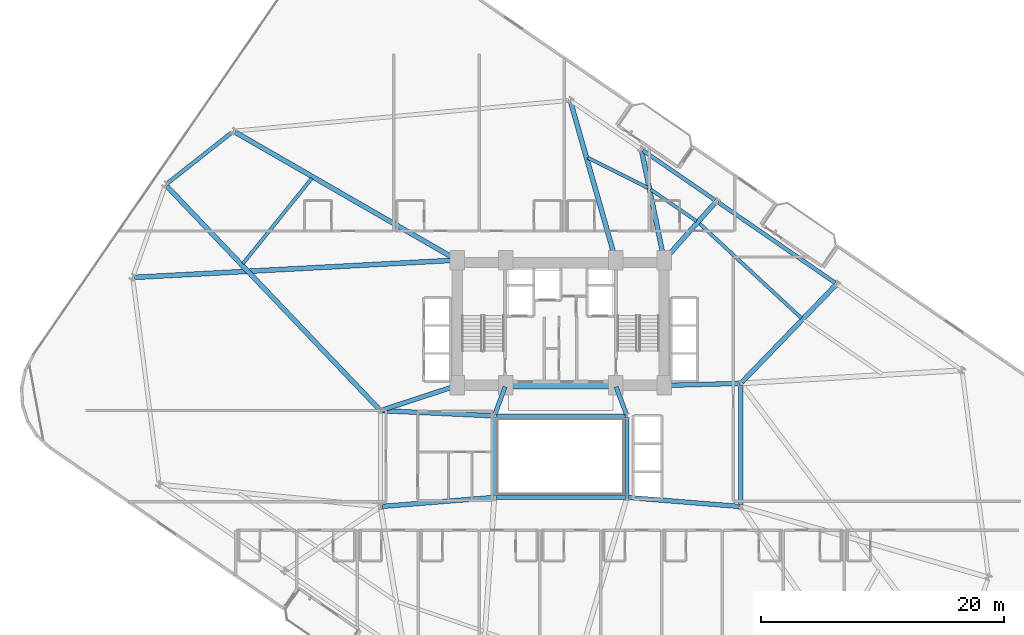
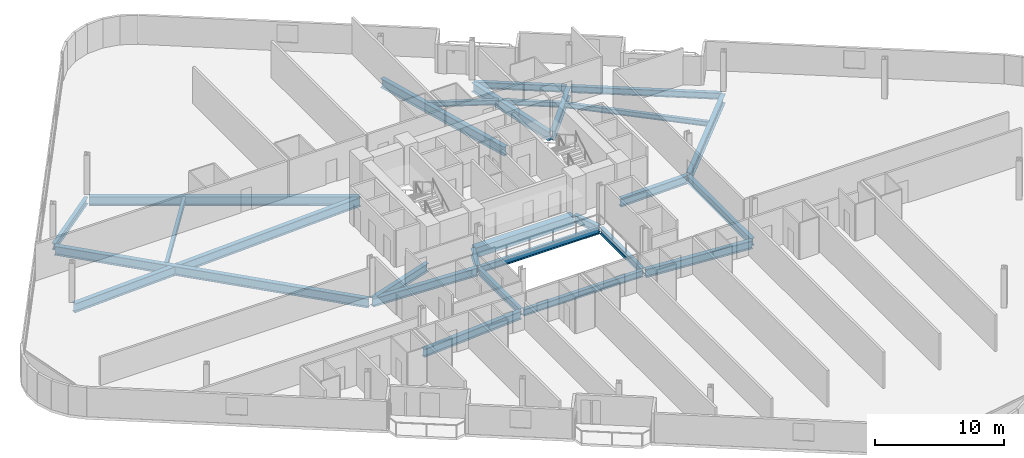
# One storey, part 7 of 27: 27 beams.
"""IFC4 building model written with IfcOpenShell, lengths in metres."""

from ifc_helpers import new_model, si_unit, direction, frame, origin, origin_2d, place, context, subcontext, project, spatial, rectangle, i_section, extrude, material, material_profile, profile_set, type_object, element, save


model = new_model("IFC4")

# Units and contexts
model_context = context("Model", 3, precision=1e-05, world=origin(), true_north=direction((0.0, 1.0)))
body_context = subcontext(model_context, "Body", "Model", "MODEL_VIEW")
ifc_project = project(units=[si_unit("LENGTHUNIT", "METRE"), si_unit("AREAUNIT", "SQUARE_METRE"), si_unit("VOLUMEUNIT", "CUBIC_METRE"), si_unit("PLANEANGLEUNIT", "RADIAN"), si_unit("MASSUNIT", "GRAM", prefix="KILO")], contexts=[model_context])

# Site, building, storey
site_placement = place(None, origin())
site = spatial("IfcSite", under=ifc_project, at=site_placement, CompositionType="ELEMENT")
building_placement = place(site_placement, origin())
building = spatial("IfcBuilding", under=site, at=building_placement, Name="Varnelok Gate Tower", CompositionType="ELEMENT")
storey_placement = place(building_placement, frame((0.0, 0.0, 30.699951171875)))
storey = spatial("IfcBuildingStorey", under=building, at=storey_placement, Name="L06", CompositionType="ELEMENT", Elevation=30.699951171875)

# Beams
ifc_material_1 = material(Name="Structural Steel ASTM A992 Grade 50", Category="steel")
ifc_material_profile_1 = material_profile(ifc_material_1, i_section(OverallWidth=0.280029296875, OverallDepth=0.462890625, WebThickness=0.0107421875, FlangeThickness=0.017333984375, FilletRadius=0.014892578125, at=origin_2d()), Name="W18X76")
ifc_profile_set_1 = profile_set([ifc_material_profile_1], Name="Structural Steel ASTM A992 Grade 50")
beam_type_1 = type_object("IfcBeamType", Name="BM-JST-W18X76", PredefinedType="JOIST", material=ifc_profile_set_1)
beam_1_placement = place(storey_placement, frame((58.9873046875, 34.28369140625, -0.4814453125), z_axis=(-0.733173365893, 0.680041774853, 0.0), x_axis=(-0.680041774853, -0.733173365893, 0.0)))
element("IfcBeam", 1, at=beam_1_placement, inside=storey, type_object=beam_type_1, Name="L06 Sector Floor Joist 7", PredefinedType="JOIST", context=body_context, shape_type="SweptSolid", body=[
    extrude(i_section(OverallWidth=0.280029296875, OverallDepth=0.462890625, WebThickness=0.0107421875, FlangeThickness=0.017333984375, FilletRadius=0.014892578125, at=origin_2d()), origin(), (0.0, 0.0, 1.0), 11.464599609375),
])
beam_2_placement = place(storey_placement, frame((50.364013671875, 42.254638671875, -0.4814453125), z_axis=(-0.823532069356, 0.567269716045, 0.0), x_axis=(-0.567269716045, -0.823532069356, 0.0)))
element("IfcBeam", 2, at=beam_2_placement, inside=storey, type_object=beam_type_1, Name="L06 Sector Floor Joist 8", PredefinedType="JOIST", context=body_context, shape_type="SweptSolid", body=[
    extrude(i_section(OverallWidth=0.280029296875, OverallDepth=0.462890625, WebThickness=0.0107421875, FlangeThickness=0.017333984375, FilletRadius=0.014892578125, at=origin_2d()), origin(), (0.0, 0.0, 1.0), 4.5576171875),
])
beam_3_placement = place(storey_placement, frame((46.3701171875, 44.982177734375, -0.4814453125), z_axis=(-0.894028684309, 0.448009722698, 0.0), x_axis=(-0.448009722698, -0.894028684309, 0.0)))
element("IfcBeam", 3, at=beam_3_placement, inside=storey, type_object=beam_type_1, Name="L06 Sector Floor Joist 9", PredefinedType="JOIST", context=body_context, shape_type="SweptSolid", body=[
    extrude(i_section(OverallWidth=0.280029296875, OverallDepth=0.462890625, WebThickness=0.0107421875, FlangeThickness=0.017333984375, FilletRadius=0.014892578125, at=origin_2d()), origin(), (0.0, 0.0, 1.0), 5.5185546875),
])
beam_4_placement = place(storey_placement, frame((18.75390625, 45.7763671875, -0.4814453125), z_axis=(-0.627991079372, -0.778220537013, 0.0), x_axis=(0.778220537013, -0.627991079372, 0.0)))
element("IfcBeam", 4, at=beam_4_placement, inside=storey, type_object=beam_type_1, Name="L06 Sector Floor Joist 10", PredefinedType="JOIST", context=body_context, shape_type="SweptSolid", body=[
    extrude(i_section(OverallWidth=0.280029296875, OverallDepth=0.462890625, WebThickness=0.0107421875, FlangeThickness=0.017333984375, FilletRadius=0.014892578125, at=origin_2d()), origin(), (0.0, 0.0, 1.0), 9.017822265625),
])
ifc_material_2 = material(Name="Concrete C60/75", Category="concrete")
ifc_material_profile_2 = material_profile(ifc_material_2, rectangle(XDim=0.60009765625, YDim=0.949951171875, at=origin_2d()), Name="RC950X600")
ifc_profile_set_2 = profile_set([ifc_material_profile_2], Name="Concrete C60/75")
beam_type_2 = type_object("IfcBeamType", Name="BM-LNT-RC950", PredefinedType="LINTEL", material=ifc_profile_set_2)
beam_5_placement = place(storey_placement, frame((34.800048828125, 28.75, -0.724853515625), z_axis=(1.0, 0.0, 0.0), x_axis=(0.0, 1.0, 0.0)))
element("IfcBeam", 5, at=beam_5_placement, inside=storey, type_object=beam_type_2, Name="L06 Core-Atrium Spine Beam 7", PredefinedType="LINTEL", context=body_context, shape_type="SweptSolid", body=[
    extrude(rectangle(XDim=0.60009765625, YDim=0.949951171875, at=origin_2d()), origin(), (0.0, 0.0, 1.0), 8.800048828125),
])
ifc_material_profile_3 = material_profile(ifc_material_1, i_section(OverallWidth=0.35498046875, OverallDepth=0.696044921875, WebThickness=0.015380859375, FlangeThickness=0.02490234375, FilletRadius=0.02001953125, at=origin_2d()), Name="W27X146")
ifc_profile_set_3 = profile_set([ifc_material_profile_3], Name="Structural Steel ASTM A992 Grade 50")
beam_type_3 = type_object("IfcBeamType", Name="BM-PRI-W27X146", PredefinedType="BEAM", material=ifc_profile_set_3)
for number, where, z_axis, x_axis, name in (
    (6, (33.791748046875, 26.362548828125, -0.597900390625), (0.348719329408, 0.937227202602, 0.0), (-0.937227202602, 0.348719329408, 0.0), "L06 Core-Atrium Spine Beam 12"),
    (7, (44.608154296875, 26.362548828125, -0.597900390625), (-0.348719329408, 0.937227202602, 0.0), (-0.937227202602, -0.348719329408, 0.0), "L06 Core-Atrium Spine Beam 13"),
):
    element("IfcBeam", number, at=place(storey_placement, frame(where, z_axis=z_axis, x_axis=x_axis)), inside=storey, type_object=beam_type_3, Name=name, PredefinedType="BEAM", context=body_context, shape_type="SweptSolid", body=[
        extrude(i_section(OverallWidth=0.35498046875, OverallDepth=0.696044921875, WebThickness=0.015380859375, FlangeThickness=0.02490234375, FilletRadius=0.02001953125, at=origin_2d()), origin(), (0.0, 0.0, 1.0), 2.42724609375),
    ])
beam_6_placement = place(storey_placement, frame((54.0, 18.919921875, -0.597900390625), z_axis=(0.0, 1.0, 0.0), x_axis=(-1.0, 0.0, 0.0)))
element("IfcBeam", 8, at=beam_6_placement, inside=storey, type_object=beam_type_3, Name="L06 Core-Atrium Spine Beam 20", PredefinedType="BEAM", context=body_context, shape_type="SweptSolid", body=[
    extrude(i_section(OverallWidth=0.35498046875, OverallDepth=0.696044921875, WebThickness=0.015380859375, FlangeThickness=0.02490234375, FilletRadius=0.02001953125, at=origin_2d()), origin(), (0.0, 0.0, 1.0), 9.880126953125),
])
ifc_material_profile_4 = material_profile(ifc_material_1, i_section(OverallWidth=0.381103515625, OverallDepth=0.77294921875, WebThickness=0.0166015625, FlangeThickness=0.027099609375, FilletRadius=0.02197265625, at=origin_2d()), Name="W30X173")
ifc_profile_set_4 = profile_set([ifc_material_profile_4], Name="Structural Steel ASTM A992 Grade 50")
beam_type_4 = type_object("IfcBeamType", Name="BM-PRI-W30X173", PredefinedType="BEAM", material=ifc_profile_set_4)
beam_7_placement = place(storey_placement, frame((24.51953125, 18.8095703125, -0.636474609375), z_axis=(0.996799206292, 0.07994587128, 0.0), x_axis=(-0.07994587128, 0.996799206292, 0.0)))
element("IfcBeam", 9, at=beam_7_placement, inside=storey, type_object=beam_type_4, Name="L06 Core-Atrium Spine Beam 14", PredefinedType="BEAM", context=body_context, shape_type="SweptSolid", body=[
    extrude(i_section(OverallWidth=0.381103515625, OverallDepth=0.77294921875, WebThickness=0.0166015625, FlangeThickness=0.027099609375, FilletRadius=0.02197265625, at=origin_2d()), origin(), (0.0, 0.0, 1.0), 9.14013671875),
])
beam_8_placement = place(storey_placement, frame((24.52001953125, 26.674560546875, -0.636474609375), z_axis=(0.99894427814, -0.045938319209, 0.0), x_axis=(0.045938319209, 0.99894427814, 0.0)))
element("IfcBeam", 10, at=beam_8_placement, inside=storey, type_object=beam_type_4, Name="L06 Core-Atrium Spine Beam 15", PredefinedType="BEAM", context=body_context, shape_type="SweptSolid", body=[
    extrude(i_section(OverallWidth=0.381103515625, OverallDepth=0.77294921875, WebThickness=0.0166015625, FlangeThickness=0.027099609375, FilletRadius=0.02197265625, at=origin_2d()), origin(), (0.0, 0.0, 1.0), 9.11962890625),
])
beam_9_placement = place(storey_placement, frame((24.513916015625, 26.717529296875, -0.636474609375), z_axis=(0.950041943788, 0.312122259768, 0.0), x_axis=(-0.312122259768, 0.950041943788, 0.0)))
element("IfcBeam", 11, at=beam_9_placement, inside=storey, type_object=beam_type_4, Name="L06 Core-Atrium Spine Beam 17", PredefinedType="BEAM", context=body_context, shape_type="SweptSolid", body=[
    extrude(i_section(OverallWidth=0.381103515625, OverallDepth=0.77294921875, WebThickness=0.0166015625, FlangeThickness=0.027099609375, FilletRadius=0.02197265625, at=origin_2d()), origin(), (0.0, 0.0, 1.0), 6.391357421875),
])
beam_10_placement = place(storey_placement, frame((44.76953125, 19.540283203125, -0.636474609375), z_axis=(0.996799206292, -0.07994587128, 0.0), x_axis=(0.07994587128, 0.996799206292, 0.0)))
element("IfcBeam", 12, at=beam_10_placement, inside=storey, type_object=beam_type_4, Name="L06 Core-Atrium Spine Beam 18", PredefinedType="BEAM", context=body_context, shape_type="SweptSolid", body=[
    extrude(i_section(OverallWidth=0.381103515625, OverallDepth=0.77294921875, WebThickness=0.0166015625, FlangeThickness=0.027099609375, FilletRadius=0.02197265625, at=origin_2d()), origin(), (0.0, 0.0, 1.0), 9.14013671875),
])
beam_11_placement = place(storey_placement, frame((47.820068359375, 28.753173828125, -0.636474609375), z_axis=(0.999635880609, 0.026983443053, 0.0), x_axis=(-0.026983443053, 0.999635880609, 0.0)))
element("IfcBeam", 13, at=beam_11_placement, inside=storey, type_object=beam_type_4, Name="L06 Core-Atrium Spine Beam 19", PredefinedType="BEAM", context=body_context, shape_type="SweptSolid", body=[
    extrude(i_section(OverallWidth=0.381103515625, OverallDepth=0.77294921875, WebThickness=0.0166015625, FlangeThickness=0.027099609375, FilletRadius=0.02197265625, at=origin_2d()), origin(), (0.0, 0.0, 1.0), 6.06201171875),
])
ifc_material_profile_5 = material_profile(ifc_material_1, i_section(OverallWidth=0.39892578125, OverallDepth=0.85498046875, WebThickness=0.018310546875, FlangeThickness=0.029296875, FilletRadius=0.02392578125, at=origin_2d()), Name="W33X201")
ifc_profile_set_5 = profile_set([ifc_material_profile_5], Name="Structural Steel ASTM A992 Grade 50")
beam_type_5 = type_object("IfcBeamType", Name="BM-PRI-W33X201", PredefinedType="BEAM", material=ifc_profile_set_5)
beam_12_placement = place(storey_placement, frame((54.104248046875, 29.02783203125, -0.677490234375), z_axis=(0.694813956558, 0.719189520066, 0.0), x_axis=(-0.719189520066, 0.694813956558, 0.0)))
element("IfcBeam", 14, at=beam_12_placement, inside=storey, type_object=beam_type_5, Name="L06 Radial Floor Girder 10", PredefinedType="BEAM", context=body_context, shape_type="SweptSolid", body=[
    extrude(i_section(OverallWidth=0.39892578125, OverallDepth=0.85498046875, WebThickness=0.018310546875, FlangeThickness=0.029296875, FilletRadius=0.02392578125, at=origin_2d()), origin(), (0.0, 0.0, 1.0), 11.057373046875),
])
beam_13_placement = place(storey_placement, frame((47.7998046875, 39.162109375, -0.677490234375), z_axis=(0.664520653518, 0.747269898395, 0.0), x_axis=(-0.747269898395, 0.664520653518, 0.0)))
element("IfcBeam", 15, at=beam_13_placement, inside=storey, type_object=beam_type_5, Name="L06 Radial Floor Girder 11", PredefinedType="BEAM", context=body_context, shape_type="SweptSolid", body=[
    extrude(i_section(OverallWidth=0.39892578125, OverallDepth=0.85498046875, WebThickness=0.018310546875, FlangeThickness=0.029296875, FilletRadius=0.02392578125, at=origin_2d()), origin(), (0.0, 0.0, 1.0), 6.18408203125),
])
beam_14_placement = place(storey_placement, frame((47.669921875, 39.197021484375, -0.677490234375), z_axis=(-0.201054404261, 0.979580076628, 0.0), x_axis=(-0.979580076628, -0.201054404261, 0.0)))
element("IfcBeam", 16, at=beam_14_placement, inside=storey, type_object=beam_type_5, Name="L06 Radial Floor Girder 12", PredefinedType="BEAM", context=body_context, shape_type="SweptSolid", body=[
    extrude(i_section(OverallWidth=0.39892578125, OverallDepth=0.85498046875, WebThickness=0.018310546875, FlangeThickness=0.029296875, FilletRadius=0.02392578125, at=origin_2d()), origin(), (0.0, 0.0, 1.0), 8.989501953125),
])
beam_15_placement = place(storey_placement, frame((43.678955078125, 39.1943359375, -0.677490234375), z_axis=(-0.273636323057, 0.961833230193, 0.0), x_axis=(-0.961833230193, -0.273636323057, 0.0)))
element("IfcBeam", 17, at=beam_15_placement, inside=storey, type_object=beam_type_5, Name="L06 Radial Floor Girder 13", PredefinedType="BEAM", context=body_context, shape_type="SweptSolid", body=[
    extrude(i_section(OverallWidth=0.39892578125, OverallDepth=0.85498046875, WebThickness=0.018310546875, FlangeThickness=0.029296875, FilletRadius=0.02392578125, at=origin_2d()), origin(), (0.0, 0.0, 1.0), 13.348388671875),
])
beam_16_placement = place(storey_placement, frame((30.570068359375, 39.125, -0.677490234375), z_axis=(-0.866373398512, 0.499396770465, 0.0), x_axis=(-0.499396770465, -0.866373398512, 0.0)))
element("IfcBeam", 18, at=beam_16_placement, inside=storey, type_object=beam_type_5, Name="L06 Radial Floor Girder 14", PredefinedType="BEAM", context=body_context, shape_type="SweptSolid", body=[
    extrude(i_section(OverallWidth=0.39892578125, OverallDepth=0.85498046875, WebThickness=0.018310546875, FlangeThickness=0.029296875, FilletRadius=0.02392578125, at=origin_2d()), origin(), (0.0, 0.0, 1.0), 20.920166015625),
])
beam_17_placement = place(storey_placement, frame((24.296630859375, 26.78857421875, -0.677490234375), z_axis=(-0.68957548794, 0.72421381265, 0.0), x_axis=(-0.72421381265, -0.68957548794, 0.0)))
element("IfcBeam", 19, at=beam_17_placement, inside=storey, type_object=beam_type_5, Name="L06 Radial Floor Girder 15", PredefinedType="BEAM", context=body_context, shape_type="SweptSolid", body=[
    extrude(i_section(OverallWidth=0.39892578125, OverallDepth=0.85498046875, WebThickness=0.018310546875, FlangeThickness=0.029296875, FilletRadius=0.02392578125, at=origin_2d()), origin(), (0.0, 0.0, 1.0), 25.324462890625),
])
beam_18_placement = place(storey_placement, frame((30.55029296875, 39.0419921875, -0.677490234375), z_axis=(-0.998572952572, -0.053404666383, 0.0), x_axis=(0.053404666383, -0.998572952572, 0.0)))
element("IfcBeam", 20, at=beam_18_placement, inside=storey, type_object=beam_type_5, Name="L06 Radial Floor Girder 16", PredefinedType="BEAM", context=body_context, shape_type="SweptSolid", body=[
    extrude(i_section(OverallWidth=0.39892578125, OverallDepth=0.85498046875, WebThickness=0.018310546875, FlangeThickness=0.029296875, FilletRadius=0.02392578125, at=origin_2d()), origin(), (0.0, 0.0, 1.0), 26.405029296875),
])
ifc_material_profile_6 = material_profile(ifc_material_1, i_section(OverallWidth=0.323974609375, OverallDepth=0.611083984375, WebThickness=0.0126953125, FlangeThickness=0.01904296875, FilletRadius=0.01806640625, at=origin_2d()), Name="W24X104")
ifc_profile_set_6 = profile_set([ifc_material_profile_6], Name="Structural Steel ASTM A992 Grade 50")
beam_type_6 = type_object("IfcBeamType", Name="BM-SPN-W24X104", PredefinedType="SPANDREL", material=ifc_profile_set_6)
for number, where, z_axis, x_axis, name in (
    (21, (33.8701171875, 19.550048828125, -0.555419921875), (1.0, 0.0, 0.0), (0.0, 1.0, 0.0), "L06 Core-Atrium Spine Beam 8"),
    (22, (33.8701171875, 26.25, -0.555419921875), (1.0, 0.0, 0.0), (0.0, 1.0, 0.0), "L06 Core-Atrium Spine Beam 9"),
):
    element("IfcBeam", number, at=place(storey_placement, frame(where, z_axis=z_axis, x_axis=x_axis)), inside=storey, type_object=beam_type_6, Name=name, PredefinedType="SPANDREL", context=body_context, shape_type="SweptSolid", body=[
        extrude(i_section(OverallWidth=0.323974609375, OverallDepth=0.611083984375, WebThickness=0.0126953125, FlangeThickness=0.01904296875, FilletRadius=0.01806640625, at=origin_2d()), origin(), (0.0, 0.0, 1.0), 10.659912109375),
    ])
for number, where, z_axis, x_axis, name in (
    (23, (33.75, 19.669921875, -0.555419921875), (0.0, 1.0, 0.0), (-1.0, 0.0, 0.0), "L06 Core-Atrium Spine Beam 10"),
    (24, (44.64990234375, 19.669921875, -0.555419921875), (0.0, 1.0, 0.0), (-1.0, 0.0, 0.0), "L06 Core-Atrium Spine Beam 11"),
):
    element("IfcBeam", number, at=place(storey_placement, frame(where, z_axis=z_axis, x_axis=x_axis)), inside=storey, type_object=beam_type_6, Name=name, PredefinedType="SPANDREL", context=body_context, shape_type="SweptSolid", body=[
        extrude(i_section(OverallWidth=0.323974609375, OverallDepth=0.611083984375, WebThickness=0.0126953125, FlangeThickness=0.01904296875, FilletRadius=0.01806640625, at=origin_2d()), origin(), (0.0, 0.0, 1.0), 6.4599609375),
    ])
beam_19_placement = place(storey_placement, frame((61.767822265625, 37.173095703125, -0.555419921875), z_axis=(-0.82353077968, 0.567271588324, 0.0), x_axis=(-0.567271588324, -0.82353077968, 0.0)))
element("IfcBeam", 25, at=beam_19_placement, inside=storey, type_object=beam_type_6, Name="L06 Perimeter Spandrel Beam 10", PredefinedType="SPANDREL", context=body_context, shape_type="SweptSolid", body=[
    extrude(i_section(OverallWidth=0.323974609375, OverallDepth=0.611083984375, WebThickness=0.0126953125, FlangeThickness=0.01904296875, FilletRadius=0.01806640625, at=origin_2d()), origin(), (0.0, 0.0, 1.0), 11.7001953125),
])
beam_20_placement = place(storey_placement, frame((51.885498046875, 43.98046875, -0.555419921875), z_axis=(-0.823550897395, 0.567242381527, 0.0), x_axis=(-0.567242381527, -0.823550897395, 0.0)))
element("IfcBeam", 26, at=beam_20_placement, inside=storey, type_object=beam_type_6, Name="L06 Perimeter Spandrel Beam 11", PredefinedType="SPANDREL", context=body_context, shape_type="SweptSolid", body=[
    extrude(i_section(OverallWidth=0.323974609375, OverallDepth=0.611083984375, WebThickness=0.0126953125, FlangeThickness=0.01904296875, FilletRadius=0.01806640625, at=origin_2d()), origin(), (0.0, 0.0, 1.0), 7.2001953125),
])
beam_21_placement = place(storey_placement, frame((12.197509765625, 49.554443359375, -0.555419921875), z_axis=(-0.784860761341, -0.619672159538, 0.0), x_axis=(0.619672159538, -0.784860761341, 0.0)))
element("IfcBeam", 27, at=beam_21_placement, inside=storey, type_object=beam_type_6, Name="L06 Perimeter Spandrel Beam 14", PredefinedType="SPANDREL", context=body_context, shape_type="SweptSolid", body=[
    extrude(i_section(OverallWidth=0.323974609375, OverallDepth=0.611083984375, WebThickness=0.0126953125, FlangeThickness=0.01904296875, FilletRadius=0.01806640625, at=origin_2d()), origin(), (0.0, 0.0, 1.0), 6.81640625),
])

save(model, "model.ifc")
